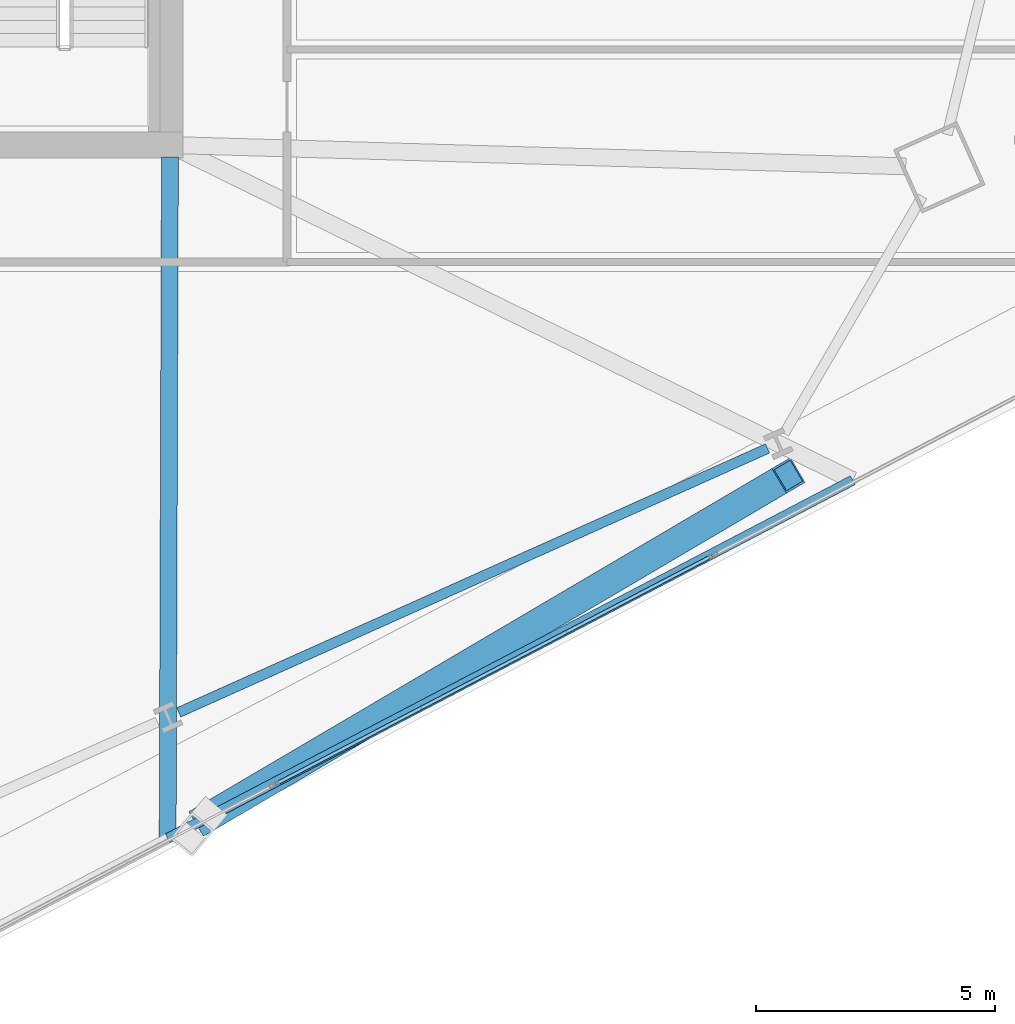
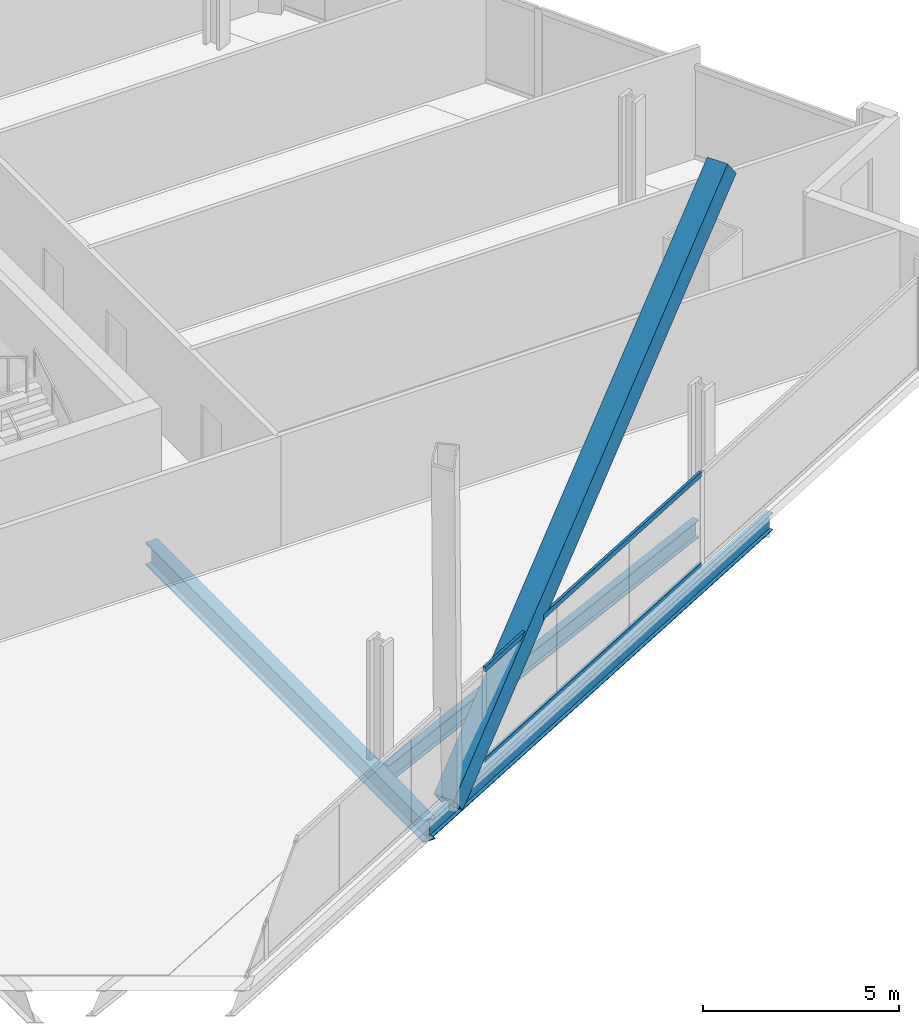
# One storey, part 8 of 33: 3 beams, 3 members, 1 element without a shape of its own.
"""IFC4 building model written with IfcOpenShell, lengths in metres."""

from ifc_helpers import new_model, si_unit, direction, frame, origin, origin_2d, place, context, subcontext, project, spatial, hollow_rectangle, i_section, extrude, material, material_profile, profile_set, type_object, element, aggregate, save


model = new_model("IFC4")

# Units and contexts
model_context = context("Model", 3, precision=1e-05, world=origin(), true_north=direction((0.0, 1.0)))
body_context = subcontext(model_context, "Body", "Model", "MODEL_VIEW")
ifc_project = project(units=[si_unit("LENGTHUNIT", "METRE"), si_unit("AREAUNIT", "SQUARE_METRE"), si_unit("VOLUMEUNIT", "CUBIC_METRE"), si_unit("PLANEANGLEUNIT", "RADIAN"), si_unit("MASSUNIT", "GRAM", prefix="KILO")], contexts=[model_context])

# Site, building, storey
site_placement = place(None, origin())
site = spatial("IfcSite", under=ifc_project, at=site_placement, CompositionType="ELEMENT")
building_placement = place(site_placement, origin())
building = spatial("IfcBuilding", under=site, at=building_placement, Name="Haldenkirk Collegiate Tower", CompositionType="ELEMENT")
storey_placement = place(building_placement, frame((0.0, 0.0, 120.449951171875)))
storey = spatial("IfcBuildingStorey", under=building, at=storey_placement, Name="L29", CompositionType="ELEMENT", Elevation=120.449951171875)

# Beams
ifc_material_1 = material(Name="Steel ASTM A992 Grade 50", Category="steel")
ifc_material_profile_1 = material_profile(ifc_material_1, i_section(OverallWidth=0.35498046875, OverallDepth=0.696044921875, WebThickness=0.015380859375, FlangeThickness=0.02490234375, at=origin_2d()), Name="W27X146")
ifc_profile_set_1 = profile_set([ifc_material_profile_1], Name="Steel ASTM A992 Grade 50")
beam_type_1 = type_object("IfcBeamType", Name="BM-GIRDER-W27X146", PredefinedType="BEAM", material=ifc_profile_set_1)
beam_1_placement = place(storey_placement, frame((44.951416015625, 3.4794921875, -0.64794921875), z_axis=(0.003337193903, 0.999994431553, 0.0), x_axis=(-0.999994431553, 0.003337193903, 0.0)))
element("IfcBeam", 1, at=beam_1_placement, inside=storey, type_object=beam_type_1, Name="L29 primary floor girder 06", PredefinedType="BEAM", context=body_context, shape_type="SweptSolid", body=[
    extrude(i_section(OverallWidth=0.35498046875, OverallDepth=0.696044921875, WebThickness=0.015380859375, FlangeThickness=0.02490234375, at=origin_2d()), origin(), (0.0, 0.0, 1.0), 14.265625),
])
ifc_material_profile_2 = material_profile(ifc_material_1, i_section(OverallWidth=0.2119140625, OverallDepth=0.5439453125, WebThickness=0.01318359375, FlangeThickness=0.021240234375, at=origin_2d()), Name="W21X83")
ifc_profile_set_2 = profile_set([ifc_material_profile_2], Name="Steel ASTM A992 Grade 50")
beam_type_2 = type_object("IfcBeamType", Name="BM-SPANDREL-W21X83", PredefinedType="SPANDREL", material=ifc_profile_set_2)
beam_2_placement = place(storey_placement, frame((45.183837890625, 6.1171875, -0.572021484375), z_axis=(0.912476765144, 0.409128528793, 0.0), x_axis=(-0.409128528793, 0.912476765144, 0.0)))
element("IfcBeam", 2, at=beam_2_placement, inside=storey, type_object=beam_type_2, Name="L29 perimeter spandrel beam 03", PredefinedType="SPANDREL", context=body_context, shape_type="SweptSolid", body=[
    extrude(i_section(OverallWidth=0.2119140625, OverallDepth=0.5439453125, WebThickness=0.01318359375, FlangeThickness=0.021240234375, at=origin_2d()), origin(), (0.0, 0.0, 1.0), 13.512939453125),
])
beam_3_placement = place(storey_placement, frame((44.951416015625, 3.4794921875, -0.572021484375), z_axis=(0.886207573631, 0.463288394458, 0.0), x_axis=(-0.463288394458, 0.886207573631, 0.0)))
element("IfcBeam", 3, at=beam_3_placement, inside=storey, type_object=beam_type_2, Name="L29 outer facade edge beam 1B", PredefinedType="SPANDREL", context=body_context, shape_type="SweptSolid", body=[
    extrude(i_section(OverallWidth=0.2119140625, OverallDepth=0.5439453125, WebThickness=0.01318359375, FlangeThickness=0.021240234375, at=origin_2d()), origin(), (0.0, 0.0, 1.0), 16.189697265625),
])

# Curtain wall, members
ifc_material_2 = material(Name="Anodised architectural bronze aluminium", Category="aluminium")
curtain_wall_type = type_object("IfcCurtainWallType", Name="CW-SYS2-CONCAVE", PredefinedType="USERDEFINED", material=ifc_material_2)
curtain_wall_placement = place(storey_placement, origin())
curtain_wall = element("IfcCurtainWall", 4, at=curtain_wall_placement, inside=storey, type_object=curtain_wall_type, Name="L29 South concave recessed bronze-anodised curtain wall", ObjectType="UNITISED CURTAIN WALL", PredefinedType="USERDEFINED")
ifc_material_profile_3 = material_profile(ifc_material_2, hollow_rectangle(XDim=0.074951171875, YDim=0.159912109375, WallThickness=0.0048828125, at=origin_2d()), Name="CW-TRN-02")
ifc_profile_set_3 = profile_set([ifc_material_profile_3], Name="Anodised architectural bronze aluminium")
member_type_1 = type_object("IfcMemberType", Name="CW-TRN-02", PredefinedType="USERDEFINED", material=ifc_profile_set_3)
member_1_placement = place(storey_placement, frame((56.347412109375, 9.391845703125, 0.03759765625), z_axis=(-0.886203326673, -0.463296518219, 0.0), x_axis=(0.463296518219, -0.886203326673, 0.0)))
member_1 = element("IfcMember", 5, at=member_1_placement, type_object=member_type_1, Name="CW-02 transom 2.1", ObjectType="TRANSOM", PredefinedType="USERDEFINED", context=body_context, shape_type="SweptSolid", body=[
    extrude(hollow_rectangle(XDim=0.074951171875, YDim=0.159912109375, WallThickness=0.0048828125, at=origin_2d()), origin(), (0.0, 0.0, 1.0), 10.300048828125),
])
member_2_placement = place(storey_placement, frame((56.347412109375, 9.391845703125, 2.863525390625), z_axis=(-0.886203326673, -0.463296518219, 0.0), x_axis=(0.463296518219, -0.886203326673, 0.0)))
member_2 = element("IfcMember", 6, at=member_2_placement, type_object=member_type_1, Name="CW-02 transom 2.2", ObjectType="TRANSOM", PredefinedType="USERDEFINED", context=body_context, shape_type="SweptSolid", body=[
    extrude(hollow_rectangle(XDim=0.074951171875, YDim=0.159912109375, WallThickness=0.0048828125, at=origin_2d()), origin(), (0.0, 0.0, 1.0), 10.300048828125),
])
aggregate(curtain_wall, [member_1, member_2])

# Member
ifc_material_3 = material(Name="Steel ASTM A572 Grade 50", Category="steel")
ifc_material_profile_4 = material_profile(ifc_material_3, hollow_rectangle(XDim=0.60009765625, YDim=0.719970703125, WallThickness=0.044921875, at=origin_2d()), Name="BOX720X600X45")
ifc_profile_set_4 = profile_set([ifc_material_profile_4], Name="Steel ASTM A572 Grade 50")
member_type_2 = type_object("IfcMemberType", Name="MBR-MEGABRACE-BOX720X600X45", PredefinedType="BRACE", material=ifc_profile_set_4)
member_3_placement = place(storey_placement, frame((45.739990234375, 3.8916015625, -0.31005859375), z_axis=(0.676096716917, 0.397961565395, 0.620096622989), x_axis=(-0.507264062038, 0.861790677232, 0.0)))
element("IfcMember", 7, at=member_3_placement, inside=storey, type_object=member_type_2, Name="Perimeter Mega Brace Z2 L29-L31 SR", PredefinedType="BRACE", context=body_context, shape_type="SweptSolid", body=[
    extrude(hollow_rectangle(XDim=0.60009765625, YDim=0.719970703125, WallThickness=0.044921875, at=origin_2d()), origin(), (0.0, 0.0, 1.0), 18.06201171875),
])

save(model, "model.ifc")
